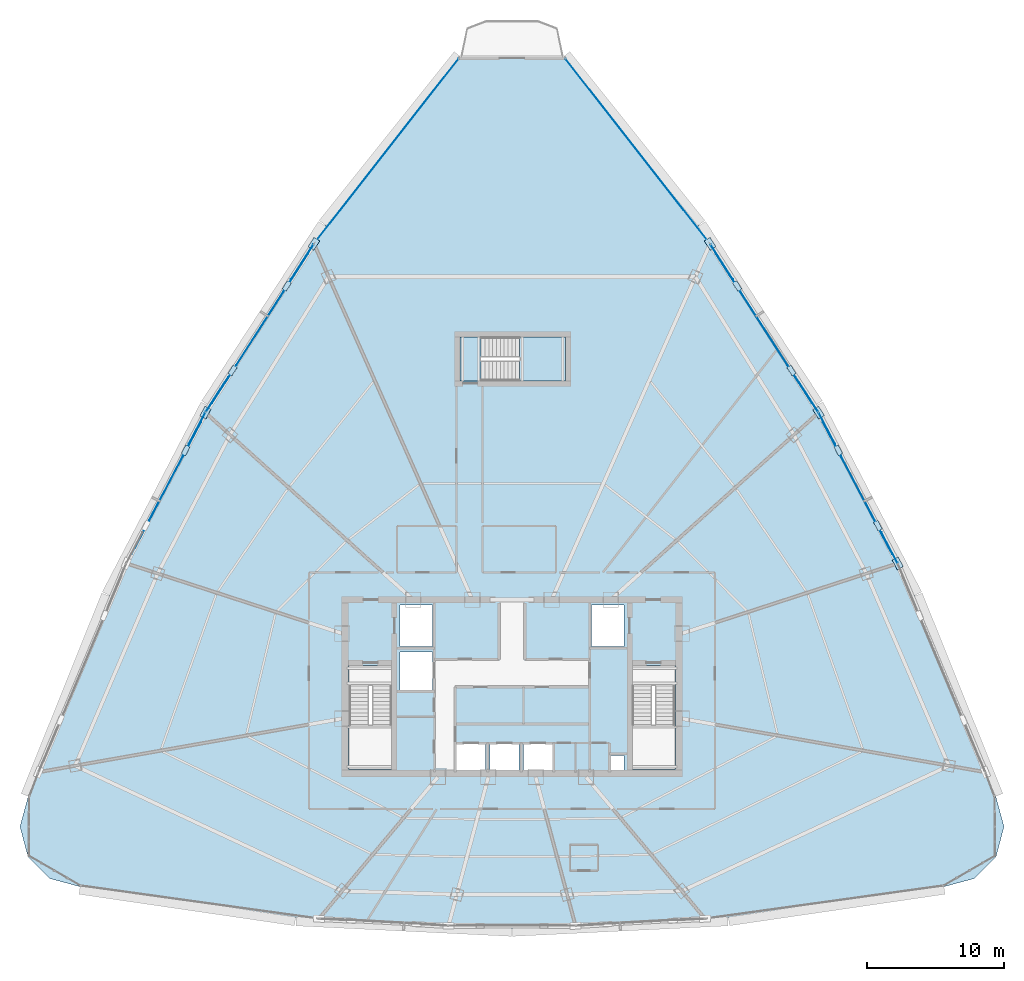
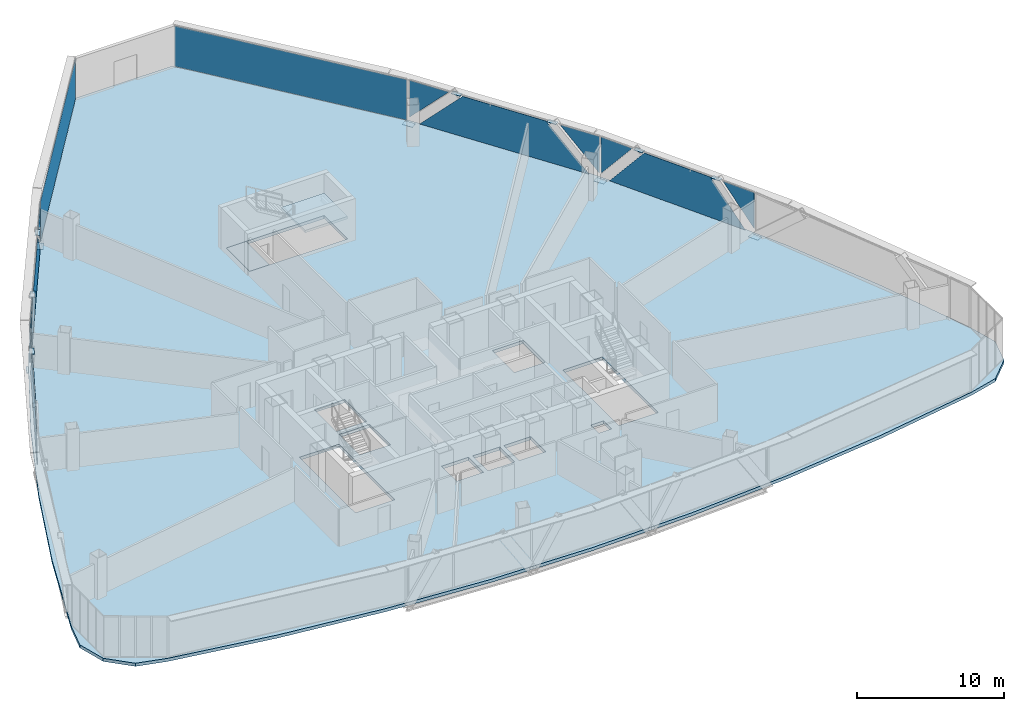
# One storey, part 28 of 37: 25 plates, 3 slabs, 7 elements without a shape of their own.
"""IFC4 building model written with IfcOpenShell, lengths in metres."""

from ifc_helpers import new_model, si_unit, direction, frame, origin, origin_2d, place, context, subcontext, project, spatial, polyline, rectangle, outline, extrude, source, transform, mapped, material, layer, layer_set, type_object, element, aggregate, save


model = new_model("IFC4")

# Units and contexts
model_context = context("Model", 3, precision=1e-05, world=origin(), true_north=direction((0.0, 1.0)))
body_context = subcontext(model_context, "Body", "Model", "MODEL_VIEW")
ifc_project = project(units=[si_unit("LENGTHUNIT", "METRE"), si_unit("AREAUNIT", "SQUARE_METRE"), si_unit("VOLUMEUNIT", "CUBIC_METRE"), si_unit("PLANEANGLEUNIT", "RADIAN"), si_unit("MASSUNIT", "GRAM", prefix="KILO"), si_unit("THERMODYNAMICTEMPERATUREUNIT", "KELVIN"), si_unit("POWERUNIT", "WATT")], contexts=[model_context])

# Site, building, storey
site_placement = place(None, origin())
site = spatial("IfcSite", under=ifc_project, at=site_placement, CompositionType="ELEMENT")
building_placement = place(site_placement, origin())
building = spatial("IfcBuilding", under=site, at=building_placement, Name="Yunzhuo Pagoda Commons", CompositionType="ELEMENT")
storey_placement = place(building_placement, frame((0.0, 0.0, 240.800048828125)))
storey = spatial("IfcBuildingStorey", under=building, at=storey_placement, Name="L60", CompositionType="ELEMENT", Elevation=240.800048828125)

# Curtain wall, plates
ifc_material_1 = material(Name="Anodized aluminium 6063-T6", Category="aluminium")
ifc_layer_1 = layer(ifc_material_1, 0.139892578125)
ifc_layer_set_1 = layer_set([ifc_layer_1], Name="Anodized aluminium 6063-T6")
curtain_wall_type = type_object("IfcCurtainWallType", Name="CW-HI High-Zone Ribbon Curtain Wall", PredefinedType="NOTDEFINED", material=ifc_layer_set_1)
curtain_wall_1_placement = place(storey_placement, origin())
curtain_wall_1 = element("IfcCurtainWall", 1, at=curtain_wall_1_placement, inside=storey, type_object=curtain_wall_type, Name="L60 curtain wall CW-L60-F2B3", PredefinedType="NOTDEFINED")
ifc_material_2 = material(Name="Tempered low-e double glazing", Category="glass")
ifc_layer_2 = layer(ifc_material_2, 0.02587890625)
ifc_layer_set_2 = layer_set([ifc_layer_2], Name="Tempered low-e double glazing")
plate_type_1 = type_object("IfcPlateType", Name="CW-HI-P Low-E Double Glazing 26", PredefinedType="CURTAIN_PANEL", material=ifc_layer_set_2)
plate_1_placement = place(storey_placement, frame((75.571533203125, 44.01904296875, 1.91015625), z_axis=(0.88543295769, 0.464767121725, 0.0), x_axis=(-0.464767121725, 0.88543295769, 0.0)))
plate_1 = element("IfcPlate", 2, at=plate_1_placement, type_object=plate_type_1, Name="CW panel 1.1 lite 1", PredefinedType="CURTAIN_PANEL", context=body_context, shape_type="SweptSolid", body=[
    extrude(outline(polyline([(-1.255126953125, -1.5048828125), (1.255126953125, 1.5048828125), (-1.255126953125, 1.5048828125), (-1.255126953125, -1.5048828125)])), origin(), (0.0, 0.0, 1.0), 0.028076171875),
])
plate_2_placement = place(storey_placement, frame((73.264404296875, 48.349853515625, 1.73486328125), z_axis=(0.88543295769, 0.464767121725, 0.0), x_axis=(-0.464767121725, 0.88543295769, 0.0)))
plate_2 = element("IfcPlate", 3, at=plate_2_placement, type_object=plate_type_1, Name="CW panel 1.1 lite 2", PredefinedType="CURTAIN_PANEL", context=body_context, shape_type="SweptSolid", body=[
    extrude(outline(polyline([(-5.464599609375, -1.679931640625), (5.464599609375, -1.679931640625), (2.662109375, 1.679931640625), (-2.662109375, 1.679931640625), (-5.464599609375, -1.679931640625)])), origin(), (0.0, 0.0, 1.0), 0.028076171875),
])
plate_3_placement = place(storey_placement, frame((71.010498046875, 52.70849609375, 1.91015625), z_axis=(0.88543295769, 0.464767121725, 0.0), x_axis=(-0.464767121725, 0.88543295769, 0.0)))
plate_3 = element("IfcPlate", 4, at=plate_3_placement, type_object=plate_type_1, Name="CW panel 1.1 lite 3", PredefinedType="CURTAIN_PANEL", context=body_context, shape_type="SweptSolid", body=[
    extrude(outline(polyline([(-1.255126953125, 1.5048828125), (1.255126953125, -1.5048828125), (1.255126953125, 1.5048828125), (-1.255126953125, 1.5048828125)])), origin(), (0.0, 0.0, 1.0), 0.028076171875),
])
aggregate(curtain_wall_1, [plate_1, plate_2, plate_3])

curtain_wall_2_placement = place(storey_placement, origin())
curtain_wall_2 = element("IfcCurtainWall", 5, at=curtain_wall_2_placement, inside=storey, type_object=curtain_wall_type, Name="L60 curtain wall CW-L60-F2B4", PredefinedType="NOTDEFINED")
plate_4_placement = place(storey_placement, frame((69.551025390625, 55.193115234375, 1.87890625), z_axis=(0.841269037614, 0.540616690782, 0.0), x_axis=(-0.540616690782, 0.841269037614, 0.0)))
plate_4 = element("IfcPlate", 6, at=plate_4_placement, type_object=plate_type_1, Name="CW panel 1.1 lite 1", PredefinedType="CURTAIN_PANEL", context=body_context, shape_type="SweptSolid", body=[
    extrude(outline(polyline([(-1.510498046875, -1.535888671875), (1.510498046875, 1.535888671875), (-1.510498046875, 1.535888671875), (-1.510498046875, -1.535888671875)])), origin(), (0.0, 0.0, 1.0), 0.028076171875),
])
plate_5_placement = place(storey_placement, frame((66.408935546875, 60.02734375, 1.73486328125), z_axis=(0.841269037614, 0.540616690782, 0.0), x_axis=(-0.540616690782, 0.841269037614, 0.0)))
plate_5 = element("IfcPlate", 7, at=plate_5_placement, type_object=plate_type_1, Name="CW panel 1.1 lite 2", PredefinedType="CURTAIN_PANEL", context=body_context, shape_type="SweptSolid", body=[
    extrude(outline(polyline([(-6.4931640625, -1.679931640625), (6.4931640625, -1.679931640625), (3.189208984375, 1.679931640625), (-3.189208984375, 1.679931640625), (-6.4931640625, -1.679931640625)])), origin(), (0.0, 0.0, 1.0), 0.028076171875),
])
plate_6_placement = place(storey_placement, frame((63.317138671875, 64.893798828125, 1.87890625), z_axis=(0.841269037614, 0.540616690782, 0.0), x_axis=(-0.540616690782, 0.841269037614, 0.0)))
plate_6 = element("IfcPlate", 8, at=plate_6_placement, type_object=plate_type_1, Name="CW panel 1.1 lite 3", PredefinedType="CURTAIN_PANEL", context=body_context, shape_type="SweptSolid", body=[
    extrude(outline(polyline([(-1.510498046875, 1.535888671875), (1.510498046875, -1.535888671875), (1.510498046875, 1.535888671875), (-1.510498046875, 1.535888671875)])), origin(), (0.0, 0.0, 1.0), 0.028076171875),
])
aggregate(curtain_wall_2, [plate_4, plate_5, plate_6])

curtain_wall_3_placement = place(storey_placement, origin())
curtain_wall_3 = element("IfcCurtainWall", 9, at=curtain_wall_3_placement, inside=storey, type_object=curtain_wall_type, Name="L60 curtain wall CW-L60-F3B2", PredefinedType="NOTDEFINED")
plate_7_placement = place(storey_placement, frame((32.682861328125, 64.893798828125, 1.87890625), z_axis=(-0.841269037614, 0.540616690782, 0.0), x_axis=(-0.540616690782, -0.841269037614, 0.0)))
plate_7 = element("IfcPlate", 10, at=plate_7_placement, type_object=plate_type_1, Name="CW panel 1.1 lite 1", PredefinedType="CURTAIN_PANEL", context=body_context, shape_type="SweptSolid", body=[
    extrude(outline(polyline([(-1.510498046875, -1.535888671875), (1.510498046875, 1.535888671875), (-1.510498046875, 1.535888671875), (-1.510498046875, -1.535888671875)])), origin(), (0.0, 0.0, 1.0), 0.028076171875),
])
plate_8_placement = place(storey_placement, frame((29.591064453125, 60.02734375, 1.73486328125), z_axis=(-0.841269037614, 0.540616690782, 0.0), x_axis=(-0.540616690782, -0.841269037614, 0.0)))
plate_8 = element("IfcPlate", 11, at=plate_8_placement, type_object=plate_type_1, Name="CW panel 1.1 lite 2", PredefinedType="CURTAIN_PANEL", context=body_context, shape_type="SweptSolid", body=[
    extrude(outline(polyline([(-6.4931640625, -1.679931640625), (6.4931640625, -1.679931640625), (3.189208984375, 1.679931640625), (-3.189208984375, 1.679931640625), (-6.4931640625, -1.679931640625)])), origin(), (0.0, 0.0, 1.0), 0.028076171875),
])
plate_9_placement = place(storey_placement, frame((26.448974609375, 55.193115234375, 1.87890625), z_axis=(-0.841269037614, 0.540616690782, 0.0), x_axis=(-0.540616690782, -0.841269037614, 0.0)))
plate_9 = element("IfcPlate", 12, at=plate_9_placement, type_object=plate_type_1, Name="CW panel 1.1 lite 3", PredefinedType="CURTAIN_PANEL", context=body_context, shape_type="SweptSolid", body=[
    extrude(outline(polyline([(-1.510498046875, 1.535888671875), (1.510498046875, -1.535888671875), (1.510498046875, 1.535888671875), (-1.510498046875, 1.535888671875)])), origin(), (0.0, 0.0, 1.0), 0.028076171875),
])
aggregate(curtain_wall_3, [plate_7, plate_8, plate_9])

curtain_wall_4_placement = place(storey_placement, origin())
curtain_wall_4 = element("IfcCurtainWall", 13, at=curtain_wall_4_placement, inside=storey, type_object=curtain_wall_type, Name="L60 curtain wall CW-L60-F3B3", PredefinedType="NOTDEFINED")
plate_10_placement = place(storey_placement, frame((24.989501953125, 52.70849609375, 1.91015625), z_axis=(-0.88543295769, 0.464767121725, 0.0), x_axis=(-0.464767121725, -0.88543295769, 0.0)))
plate_10 = element("IfcPlate", 14, at=plate_10_placement, type_object=plate_type_1, Name="CW panel 1.1 lite 1", PredefinedType="CURTAIN_PANEL", context=body_context, shape_type="SweptSolid", body=[
    extrude(outline(polyline([(-1.255126953125, -1.5048828125), (1.255126953125, 1.5048828125), (-1.255126953125, 1.5048828125), (-1.255126953125, -1.5048828125)])), origin(), (0.0, 0.0, 1.0), 0.028076171875),
])
plate_11_placement = place(storey_placement, frame((22.735595703125, 48.349853515625, 1.73486328125), z_axis=(-0.88543295769, 0.464767121725, 0.0), x_axis=(-0.464767121725, -0.88543295769, 0.0)))
plate_11 = element("IfcPlate", 15, at=plate_11_placement, type_object=plate_type_1, Name="CW panel 1.1 lite 2", PredefinedType="CURTAIN_PANEL", context=body_context, shape_type="SweptSolid", body=[
    extrude(outline(polyline([(-5.464599609375, -1.679931640625), (5.464599609375, -1.679931640625), (2.662109375, 1.679931640625), (-2.662109375, 1.679931640625), (-5.464599609375, -1.679931640625)])), origin(), (0.0, 0.0, 1.0), 0.028076171875),
])
aggregate(curtain_wall_4, [plate_10, plate_11])

# Stair, slabs
ifc_material_3 = material(Name="Concrete C40", Category="concrete")
stair_type = type_object("IfcStairType", Name="ST-C3 North Tower Smokeproof Stair ST3", PredefinedType="HALF_TURN_STAIR", material=ifc_material_3)
stair_placement = place(storey_placement, origin())
stair = element("IfcStair", 16, at=stair_placement, inside=storey, type_object=stair_type, Name="L60 North tower smokeproof stair ST3", PredefinedType="HALF_TURN_STAIR")
ifc_layer_3 = layer(ifc_material_3, 0.2041015625)
ifc_layer_set_3 = layer_set([ifc_layer_3], Name="Concrete C40")
slab_type_1 = type_object("IfcSlabType", Name="SL-LND5 North Landing Slab 204", PredefinedType="LANDING", material=ifc_layer_set_3)
slab_1_placement = place(storey_placement, frame((0.0, 0.0, 1.6650390625)))
slab_1 = element("IfcSlab", 17, at=slab_1_placement, type_object=slab_type_1, Name="ST3 landing 1", PredefinedType="LANDING", context=body_context, shape_type="SweptSolid", body=[
    extrude(outline(polyline([(48.550048828125, 56.199951171875), (51.89990234375, 56.199951171875), (51.89990234375, 59.39990234375), (48.550048828125, 59.39990234375), (48.550048828125, 56.199951171875)])), origin(), (0.0, 0.0, 1.0), 0.199951171875),
])
slab_2_placement = place(storey_placement, frame((0.0, 0.0, -0.199951171875)))
slab_2 = element("IfcSlab", 18, at=slab_2_placement, type_object=slab_type_1, Name="ST3 floor landing L60", PredefinedType="LANDING", context=body_context, shape_type="SweptSolid", body=[
    extrude(outline(polyline([(44.199951171875, 56.199951171875), (45.75, 56.199951171875), (45.75, 59.39990234375), (44.199951171875, 59.39990234375), (44.199951171875, 56.199951171875)])), origin(), (0.0, 0.0, 1.0), 0.199951171875),
])
aggregate(stair, [slab_1, slab_2])

# Slab
ifc_layer_4 = layer(ifc_material_3, 0.260009765625)
ifc_layer_set_4 = layer_set([ifc_layer_4], Name="Concrete C40")
slab_type_2 = type_object("IfcSlabType", Name="SL-TWR Typical Tower Floor Slab 260", PredefinedType="FLOOR", material=ifc_layer_set_4)
slab_3_placement = place(storey_placement, frame((0.0, 0.0, -0.260009765625)))
element("IfcSlab", 19, at=slab_3_placement, inside=storey, type_object=slab_type_2, Name="L60 structural floor slab", PredefinedType="FLOOR", context=body_context, shape_type="SweptSolid", body=[
    extrude(outline(polyline([(15.419677734375, 33.249267578125), (18.5390625, 40.499267578125), (21.990478515625, 47.555419921875), (25.773681640625, 54.417724609375), (29.888916015625, 61.08642578125), (34.336181640625, 67.561279296875), (39.115234375, 73.842529296875), (44.226318359375, 79.9296875), (51.773681640625, 79.9296875), (56.884765625, 73.842529296875), (61.663818359375, 67.561279296875), (66.111083984375, 61.08642578125), (70.226318359375, 54.417724609375), (74.009521484375, 47.555419921875), (77.4609375, 40.499267578125), (80.580322265625, 33.249267578125), (83.367919921875, 25.8056640625), (83.963623046875, 23.618408203125), (83.383544921875, 21.427001953125), (81.783447265625, 19.8212890625), (79.59423828125, 19.2333984375), (71.69580078125, 17.88818359375), (63.797119140625, 16.92724609375), (55.898681640625, 16.3505859375), (48.0, 16.158447265625), (40.101318359375, 16.3505859375), (32.202880859375, 16.92724609375), (24.30419921875, 17.88818359375), (16.40576171875, 19.2333984375), (14.216552734375, 19.8212890625), (12.616455078125, 21.427001953125), (12.036376953125, 23.618408203125), (12.632080078125, 25.8056640625), (15.419677734375, 33.249267578125)]), holes=[polyline([(56.179931640625, 28.800048828125), (55.179931640625, 28.800048828125), (55.179931640625, 27.699951171875), (56.179931640625, 27.699951171875), (56.179931640625, 28.800048828125)]), polyline([(46.050048828125, 29.64990234375), (43.949951171875, 29.64990234375), (43.949951171875, 27.60009765625), (46.050048828125, 27.60009765625), (46.050048828125, 29.64990234375)]), polyline([(48.5, 29.64990234375), (46.39990234375, 29.64990234375), (46.39990234375, 27.60009765625), (48.5, 27.60009765625), (48.5, 29.64990234375)]), polyline([(50.949951171875, 27.60009765625), (50.949951171875, 29.64990234375), (48.85009765625, 29.64990234375), (48.85009765625, 27.60009765625), (50.949951171875, 27.60009765625)]), polyline([(36.10009765625, 27.800048828125), (39.199951171875, 27.800048828125), (39.199951171875, 35.39990234375), (36.10009765625, 35.39990234375), (36.10009765625, 27.800048828125)]), polyline([(59.89990234375, 27.800048828125), (59.89990234375, 35.39990234375), (56.800048828125, 35.39990234375), (56.800048828125, 27.800048828125), (59.89990234375, 27.800048828125)]), polyline([(42.199951171875, 36.39990234375), (39.800048828125, 36.39990234375), (39.800048828125, 33.60009765625), (42.199951171875, 33.60009765625), (42.199951171875, 36.39990234375)]), polyline([(42.199951171875, 39.800048828125), (39.800048828125, 39.800048828125), (39.800048828125, 36.800048828125), (42.199951171875, 36.800048828125), (42.199951171875, 39.800048828125)]), polyline([(56.199951171875, 36.800048828125), (56.199951171875, 39.800048828125), (53.800048828125, 39.800048828125), (53.800048828125, 36.800048828125), (56.199951171875, 36.800048828125)]), polyline([(51.89990234375, 56.199951171875), (51.89990234375, 59.39990234375), (44.199951171875, 59.39990234375), (44.199951171875, 56.199951171875), (51.89990234375, 56.199951171875)])]), origin(), (0.0, 0.0, 1.0), 0.260009765625),
])

# Plates
ifc_material_4 = material(Name="Structural steel Q355B", Category="steel")
ifc_layer_5 = layer(ifc_material_4, 0.028076171875)
ifc_layer_set_5 = layer_set([ifc_layer_5], Name="Structural steel Q355B")
plate_type_2 = type_object("IfcPlateType", Name="SP-ND1 Lattice Node Cap Plate 800x500x28", PredefinedType="USERDEFINED", material=ifc_layer_set_5)
shared_shape_1 = source(origin(), body_context, "Body", "SweptSolid", [
    extrude(rectangle(XDim=0.800048828125, YDim=0.5, at=origin_2d()), origin(), (0.0, 0.0, 1.0), 0.028076171875),
])
for number, where, z_axis, x_axis, name in (
    (20, (76.1953125, 42.861083984375, -0.27392578125), (0.0, 0.0, 1.0), (-0.464764778785, 0.885434187504, 0.0), "L60 diamond node plate F2.2A"),
    (21, (70.41162109375, 53.879638671875, -0.27392578125), (0.0, 0.0, 1.0), (-0.540622130321, 0.84126554203, 0.0), "L60 diamond node plate F2.3A"),
    (22, (62.47998046875, 66.222412109375, -0.27392578125), (0.0, 0.0, 1.0), (-0.540622130321, 0.84126554203, 0.0), "L60 diamond node plate F2.3B"),
    (23, (33.52001953125, 66.222412109375, -0.27392578125), (0.0, 0.0, 1.0), (-0.540622130321, -0.84126554203, 0.0), "L60 diamond node plate F3.1A"),
    (24, (25.58837890625, 53.879638671875, -0.27392578125), (0.0, 0.0, 1.0), (-0.464764778785, -0.885434187504, 0.0), "L60 diamond node plate F3.2A"),
):
    element("IfcPlate", number, at=place(storey_placement, frame(where, z_axis=z_axis, x_axis=x_axis)), inside=storey, type_object=plate_type_2, Name=name, ObjectType="STIFFENER_PLATE", PredefinedType="USERDEFINED", context=body_context, shape_type="MappedRepresentation", body=[
        mapped(shared_shape_1, transform((0.0, 0.0, 0.0), scale=1.0)),
    ])
shared_shape_2 = source(origin(), body_context, "Body", "SweptSolid", [
    extrude(rectangle(XDim=0.699951171875, YDim=0.35009765625, at=origin_2d()), origin(), (0.0, 0.0, 1.0), 0.035888671875),
])
for number, where, z_axis, x_axis, name in (
    (25, (74.74951171875, 45.61572265625, 3.43212890625), (0.0, 0.0, 1.0), (-0.464764778785, 0.885434187504, 0.0), "L60 setback lattice tie plate F2.2L"),
    (26, (71.857666015625, 51.125, 3.43212890625), (0.0, 0.0, 1.0), (-0.464764778785, 0.885434187504, 0.0), "L60 setback lattice tie plate F2.2R"),
    (27, (68.4287109375, 56.96533203125, 3.43212890625), (0.0, 0.0, 1.0), (-0.540622130321, 0.84126554203, 0.0), "L60 setback lattice tie plate F2.3L"),
    (28, (64.462890625, 63.13671875, 3.43212890625), (0.0, 0.0, 1.0), (-0.540622130321, 0.84126554203, 0.0), "L60 setback lattice tie plate F2.3R"),
    (29, (31.537109375, 63.13671875, 3.43212890625), (0.0, 0.0, 1.0), (-0.540622130321, -0.84126554203, 0.0), "L60 setback lattice tie plate F3.1L"),
    (30, (27.5712890625, 56.96533203125, 3.43212890625), (0.0, 0.0, 1.0), (-0.540622130321, -0.84126554203, 0.0), "L60 setback lattice tie plate F3.1R"),
    (31, (24.142333984375, 51.125, 3.43212890625), (0.0, 0.0, 1.0), (-0.464764778785, -0.885434187504, 0.0), "L60 setback lattice tie plate F3.2L"),
):
    element("IfcPlate", number, at=place(storey_placement, frame(where, z_axis=z_axis, x_axis=x_axis)), inside=storey, type_object=plate_type_2, Name=name, ObjectType="STIFFENER_PLATE", PredefinedType="USERDEFINED", context=body_context, shape_type="MappedRepresentation", body=[
        mapped(shared_shape_2, transform((0.0, 0.0, 0.0), scale=1.0)),
    ])

# Curtain wall, plate
curtain_wall_5_placement = place(storey_placement, origin())
curtain_wall_5 = element("IfcCurtainWall", 32, at=curtain_wall_5_placement, inside=storey, type_object=curtain_wall_type, Name="L60 curtain wall CW-L60-F2B5", PredefinedType="NOTDEFINED")
shared_shape_3 = source(origin(), body_context, "Body", "SweptSolid", [
    extrude(rectangle(XDim=17.037109375, YDim=0.028076171875, at=origin_2d()), origin(), (0.0, 0.0, 1.0), 3.360107421875),
])
plate_12_placement = place(storey_placement, frame((57.151123046875, 73.040771484375, 0.0546875), z_axis=(0.0, 0.0, 1.0), x_axis=(-0.615789034114, 0.787911077131, 0.0)))
plate_12 = element("IfcPlate", 33, at=plate_12_placement, type_object=plate_type_1, Name="CW panel 1.1", PredefinedType="CURTAIN_PANEL", context=body_context, shape_type="MappedRepresentation", body=[
    mapped(shared_shape_3, transform((0.0, 0.0, 0.0), scale=1.0)),
])
aggregate(curtain_wall_5, [plate_12])

curtain_wall_6_placement = place(storey_placement, origin())
curtain_wall_6 = element("IfcCurtainWall", 34, at=curtain_wall_6_placement, inside=storey, type_object=curtain_wall_type, Name="L60 curtain wall CW-L60-F3B1", PredefinedType="NOTDEFINED")
plate_13_placement = place(storey_placement, frame((38.848876953125, 73.040771484375, 0.0546875), z_axis=(0.0, 0.0, 1.0), x_axis=(-0.615789034114, -0.787911077131, 0.0)))
plate_13 = element("IfcPlate", 35, at=plate_13_placement, type_object=plate_type_1, Name="CW panel 1.1", PredefinedType="CURTAIN_PANEL", context=body_context, shape_type="MappedRepresentation", body=[
    mapped(shared_shape_3, transform((0.0, 0.0, 0.0), scale=1.0)),
])
aggregate(curtain_wall_6, [plate_13])

save(model, "model.ifc")
